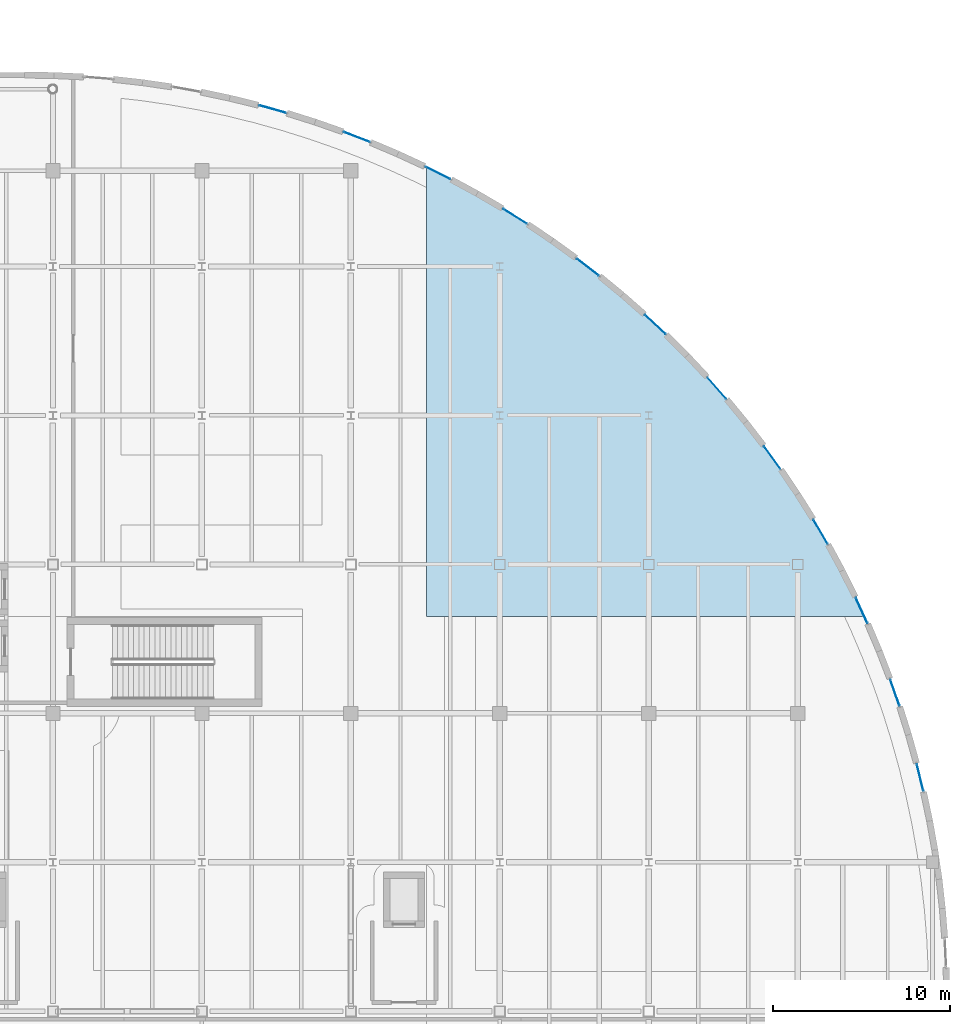
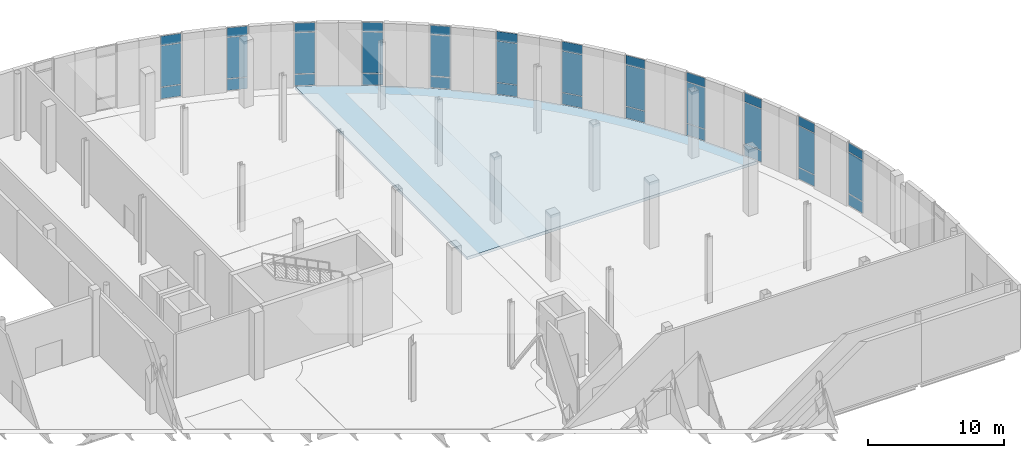
# One storey, part 42 of 85: 36 plates, 1 slab, 12 elements without a shape of their own.
"""IFC4 building model written with IfcOpenShell, lengths in metres."""

from ifc_helpers import new_model, si_unit, direction, frame, origin, origin_2d, place, context, subcontext, project, spatial, polyline, rectangle, outline, extrude, material, layer, layer_set, type_object, element, aggregate, save


model = new_model("IFC4")

# Units and contexts
model_context = context("Model", 3, precision=1e-05, world=origin(), true_north=direction((0.0, 1.0)))
body_context = subcontext(model_context, "Body", "Model", "MODEL_VIEW")
ifc_project = project(units=[si_unit("LENGTHUNIT", "METRE"), si_unit("AREAUNIT", "SQUARE_METRE"), si_unit("VOLUMEUNIT", "CUBIC_METRE"), si_unit("PLANEANGLEUNIT", "RADIAN"), si_unit("MASSUNIT", "GRAM", prefix="KILO"), si_unit("THERMODYNAMICTEMPERATUREUNIT", "KELVIN")], contexts=[model_context])

# Site, building, storey
site_placement = place(None, origin())
site = spatial("IfcSite", under=ifc_project, at=site_placement, CompositionType="ELEMENT")
building_placement = place(site_placement, origin())
building = spatial("IfcBuilding", under=site, at=building_placement, Name="Lustrewick Department Store", CompositionType="ELEMENT")
storey_placement = place(building_placement, origin())
storey = spatial("IfcBuildingStorey", under=building, at=storey_placement, Name="L01", CompositionType="ELEMENT", Elevation=0.0)

# Curtain wall, plates
ifc_material_1 = material(Name="Thermally broken aluminium 6063-T5", Category="aluminium")
ifc_layer_1 = layer(ifc_material_1, 0.139892578125, Name="Thermally broken aluminium 6063-T5")
ifc_layer_set_1 = layer_set([ifc_layer_1], Name="Thermally broken aluminium 6063-T5")
curtain_wall_type_1 = type_object("IfcCurtainWallType", Name="CW06", PredefinedType="NOTDEFINED", material=ifc_layer_set_1)
curtain_wall_1_placement = place(storey_placement, origin())
curtain_wall_1 = element("IfcCurtainWall", 1, at=curtain_wall_1_placement, inside=storey, type_object=curtain_wall_type_1, Name="L01 V4 Curtain Wall CW06", PredefinedType="NOTDEFINED")
ifc_material_2 = material(Name="Low-E laminated safety glass", Category="glass")
ifc_layer_2 = layer(ifc_material_2, 0.02392578125, Name="Low-E laminated safety glass")
ifc_layer_set_2 = layer_set([ifc_layer_2], Name="Low-E laminated safety glass")
plate_type_1 = type_object("IfcPlateType", Name="CP01", PredefinedType="CURTAIN_PANEL", material=ifc_layer_set_2)
plate_1_placement = place(storey_placement, frame((160.887939453125, 85.8369140625, 0.054931640625), z_axis=(0.0, 0.0, 1.0), x_axis=(-0.504642934299, 0.86332815827, 0.0)))
plate_1 = element("IfcPlate", 2, at=plate_1_placement, type_object=plate_type_1, Name="CW06 panel 1.1", PredefinedType="CURTAIN_PANEL", context=body_context, shape_type="SweptSolid", body=[
    extrude(rectangle(XDim=1.556884765625, YDim=0.02392578125, at=origin_2d()), origin(), (0.0, 0.0, 1.0), 1.017578125),
])
plate_2_placement = place(storey_placement, frame((160.887939453125, 85.8369140625, 1.12744140625), z_axis=(0.0, 0.0, 1.0), x_axis=(-0.504642934299, 0.86332815827, 0.0)))
plate_2 = element("IfcPlate", 3, at=plate_2_placement, type_object=plate_type_1, Name="CW06 panel 1.2", PredefinedType="CURTAIN_PANEL", context=body_context, shape_type="SweptSolid", body=[
    extrude(rectangle(XDim=1.556884765625, YDim=0.02392578125, at=origin_2d()), origin(), (0.0, 0.0, 1.0), 3.68994140625),
])
plate_3_placement = place(storey_placement, frame((160.887939453125, 85.8369140625, 4.87255859375), z_axis=(0.0, 0.0, 1.0), x_axis=(-0.504642934299, 0.86332815827, 0.0)))
plate_3 = element("IfcPlate", 4, at=plate_3_placement, type_object=plate_type_1, Name="CW06 panel 1.3", PredefinedType="CURTAIN_PANEL", context=body_context, shape_type="SweptSolid", body=[
    extrude(rectangle(XDim=1.556884765625, YDim=0.02392578125, at=origin_2d()), origin(), (0.0, 0.0, 1.0), 0.8173828125),
])
aggregate(curtain_wall_1, [plate_1, plate_2, plate_3])

ifc_layer_3 = layer(ifc_material_1, 0.179931640625, Name="Thermally broken aluminium 6063-T5")
ifc_layer_set_3 = layer_set([ifc_layer_3], Name="Thermally broken aluminium 6063-T5")
curtain_wall_type_2 = type_object("IfcCurtainWallType", Name="CW11", PredefinedType="NOTDEFINED", material=ifc_layer_set_3)
curtain_wall_2_placement = place(storey_placement, origin())
curtain_wall_2 = element("IfcCurtainWall", 5, at=curtain_wall_2_placement, inside=storey, type_object=curtain_wall_type_2, Name="L01 V4 Curtain Wall CW11", PredefinedType="NOTDEFINED")
plate_4_placement = place(storey_placement, frame((143.662109375, 103.6240234375, 0.06494140625), z_axis=(0.0, 0.0, 1.0), x_axis=(-0.846735387226, 0.532014270503, 0.0)))
plate_4 = element("IfcPlate", 6, at=plate_4_placement, type_object=plate_type_1, Name="CW11 panel 1.1", PredefinedType="CURTAIN_PANEL", context=body_context, shape_type="SweptSolid", body=[
    extrude(rectangle(XDim=1.536865234375, YDim=0.02392578125, at=origin_2d()), origin(), (0.0, 0.0, 1.0), 1.00244140625),
])
plate_5_placement = place(storey_placement, frame((143.662109375, 103.6240234375, 1.13232421875), z_axis=(0.0, 0.0, 1.0), x_axis=(-0.846735387226, 0.532014270503, 0.0)))
plate_5 = element("IfcPlate", 7, at=plate_5_placement, type_object=plate_type_1, Name="CW11 panel 1.2", PredefinedType="CURTAIN_PANEL", context=body_context, shape_type="SweptSolid", body=[
    extrude(rectangle(XDim=1.536865234375, YDim=0.02392578125, at=origin_2d()), origin(), (0.0, 0.0, 1.0), 3.679931640625),
])
plate_6_placement = place(storey_placement, frame((143.662109375, 103.6240234375, 4.87744140625), z_axis=(0.0, 0.0, 1.0), x_axis=(-0.846735387226, 0.532014270503, 0.0)))
plate_6 = element("IfcPlate", 8, at=plate_6_placement, type_object=plate_type_1, Name="CW11 panel 1.3", PredefinedType="CURTAIN_PANEL", context=body_context, shape_type="SweptSolid", body=[
    extrude(rectangle(XDim=1.536865234375, YDim=0.02392578125, at=origin_2d()), origin(), (0.0, 0.0, 1.0), 0.802490234375),
])
aggregate(curtain_wall_2, [plate_4, plate_5, plate_6])

ifc_layer_4 = layer(ifc_material_1, 0.1298828125, Name="Thermally broken aluminium 6063-T5")
ifc_layer_set_4 = layer_set([ifc_layer_4], Name="Thermally broken aluminium 6063-T5")
curtain_wall_type_3 = type_object("IfcCurtainWallType", Name="CW07", PredefinedType="NOTDEFINED", material=ifc_layer_set_4)
curtain_wall_3_placement = place(storey_placement, origin())
curtain_wall_3 = element("IfcCurtainWall", 9, at=curtain_wall_3_placement, inside=storey, type_object=curtain_wall_type_3, Name="L01 V4 Curtain Wall CW07", PredefinedType="NOTDEFINED")
ifc_layer_5 = layer(ifc_material_2, 0.02587890625, Name="Low-E laminated safety glass")
ifc_layer_set_5 = layer_set([ifc_layer_5], Name="Low-E laminated safety glass")
plate_type_2 = type_object("IfcPlateType", Name="CP02", PredefinedType="CURTAIN_PANEL", material=ifc_layer_set_5)
plate_7_placement = place(storey_placement, frame((158.1611328125, 90.02587890625, 0.054931640625), z_axis=(0.0, 0.0, 1.0), x_axis=(-0.585232055106, 0.810865859237, 0.0)))
plate_7 = element("IfcPlate", 10, at=plate_7_placement, type_object=plate_type_2, Name="CW07 panel 1.1", PredefinedType="CURTAIN_PANEL", context=body_context, shape_type="SweptSolid", body=[
    extrude(rectangle(XDim=1.556884765625, YDim=0.02587890625, at=origin_2d()), origin(), (0.0, 0.0, 1.0), 1.017578125),
])
plate_8_placement = place(storey_placement, frame((158.1611328125, 90.02587890625, 1.12744140625), z_axis=(0.0, 0.0, 1.0), x_axis=(-0.585232055106, 0.810865859237, 0.0)))
plate_8 = element("IfcPlate", 11, at=plate_8_placement, type_object=plate_type_2, Name="CW07 panel 1.2", PredefinedType="CURTAIN_PANEL", context=body_context, shape_type="SweptSolid", body=[
    extrude(rectangle(XDim=1.556884765625, YDim=0.02587890625, at=origin_2d()), origin(), (0.0, 0.0, 1.0), 3.68994140625),
])
plate_9_placement = place(storey_placement, frame((158.1611328125, 90.02587890625, 4.87255859375), z_axis=(0.0, 0.0, 1.0), x_axis=(-0.585232055106, 0.810865859237, 0.0)))
plate_9 = element("IfcPlate", 12, at=plate_9_placement, type_object=plate_type_2, Name="CW07 panel 1.3", PredefinedType="CURTAIN_PANEL", context=body_context, shape_type="SweptSolid", body=[
    extrude(rectangle(XDim=1.556884765625, YDim=0.02587890625, at=origin_2d()), origin(), (0.0, 0.0, 1.0), 0.8173828125),
])
aggregate(curtain_wall_3, [plate_7, plate_8, plate_9])

ifc_layer_6 = layer(ifc_material_1, 0.169921875, Name="Thermally broken aluminium 6063-T5")
ifc_layer_set_6 = layer_set([ifc_layer_6], Name="Thermally broken aluminium 6063-T5")
curtain_wall_type_4 = type_object("IfcCurtainWallType", Name="CW12", PredefinedType="NOTDEFINED", material=ifc_layer_set_6)
curtain_wall_4_placement = place(storey_placement, origin())
curtain_wall_4 = element("IfcCurtainWall", 13, at=curtain_wall_4_placement, inside=storey, type_object=curtain_wall_type_4, Name="L01 V4 Curtain Wall CW12", PredefinedType="NOTDEFINED")
plate_10_placement = place(storey_placement, frame((139.306884765625, 106.076904296875, 0.06494140625), z_axis=(0.0, 0.0, 1.0), x_axis=(-0.893898627635, 0.448269164132, 0.0)))
plate_10 = element("IfcPlate", 14, at=plate_10_placement, type_object=plate_type_2, Name="CW12 panel 1.1", PredefinedType="CURTAIN_PANEL", context=body_context, shape_type="SweptSolid", body=[
    extrude(rectangle(XDim=1.536865234375, YDim=0.02587890625, at=origin_2d()), origin(), (0.0, 0.0, 1.0), 1.00244140625),
])
plate_11_placement = place(storey_placement, frame((139.306884765625, 106.076904296875, 1.13232421875), z_axis=(0.0, 0.0, 1.0), x_axis=(-0.893898627635, 0.448269164132, 0.0)))
plate_11 = element("IfcPlate", 15, at=plate_11_placement, type_object=plate_type_2, Name="CW12 panel 1.2", PredefinedType="CURTAIN_PANEL", context=body_context, shape_type="SweptSolid", body=[
    extrude(rectangle(XDim=1.536865234375, YDim=0.02587890625, at=origin_2d()), origin(), (0.0, 0.0, 1.0), 3.679931640625),
])
plate_12_placement = place(storey_placement, frame((139.306884765625, 106.076904296875, 4.87744140625), z_axis=(0.0, 0.0, 1.0), x_axis=(-0.893898627635, 0.448269164132, 0.0)))
plate_12 = element("IfcPlate", 16, at=plate_12_placement, type_object=plate_type_2, Name="CW12 panel 1.3", PredefinedType="CURTAIN_PANEL", context=body_context, shape_type="SweptSolid", body=[
    extrude(rectangle(XDim=1.536865234375, YDim=0.02587890625, at=origin_2d()), origin(), (0.0, 0.0, 1.0), 0.802490234375),
])
aggregate(curtain_wall_4, [plate_10, plate_11, plate_12])

ifc_layer_7 = layer(ifc_material_1, 0.169921875, Name="Thermally broken aluminium 6063-T5")
ifc_layer_set_7 = layer_set([ifc_layer_7], Name="Thermally broken aluminium 6063-T5")
curtain_wall_type_5 = type_object("IfcCurtainWallType", Name="CW03", PredefinedType="NOTDEFINED", material=ifc_layer_set_7)
curtain_wall_5_placement = place(storey_placement, origin())
curtain_wall_5 = element("IfcCurtainWall", 17, at=curtain_wall_5_placement, inside=storey, type_object=curtain_wall_type_5, Name="L01 V4 Curtain Wall CW03", PredefinedType="NOTDEFINED")
ifc_layer_8 = layer(ifc_material_2, 0.028076171875, Name="Low-E laminated safety glass")
ifc_layer_set_8 = layer_set([ifc_layer_8], Name="Low-E laminated safety glass")
plate_type_3 = type_object("IfcPlateType", Name="CP03", PredefinedType="CURTAIN_PANEL", material=ifc_layer_set_8)
plate_13_placement = place(storey_placement, frame((166.497802734375, 71.98046875, 0.06494140625), z_axis=(0.0, 0.0, 1.0), x_axis=(-0.238171345478, 0.971223151595, 0.0)))
plate_13 = element("IfcPlate", 18, at=plate_13_placement, type_object=plate_type_3, Name="CW03 panel 1.1", PredefinedType="CURTAIN_PANEL", context=body_context, shape_type="SweptSolid", body=[
    extrude(rectangle(XDim=1.536865234375, YDim=0.028076171875, at=origin_2d()), origin(), (0.0, 0.0, 1.0), 1.00244140625),
])
plate_14_placement = place(storey_placement, frame((166.497802734375, 71.98046875, 1.13232421875), z_axis=(0.0, 0.0, 1.0), x_axis=(-0.238171345478, 0.971223151595, 0.0)))
plate_14 = element("IfcPlate", 19, at=plate_14_placement, type_object=plate_type_3, Name="CW03 panel 1.2", PredefinedType="CURTAIN_PANEL", context=body_context, shape_type="SweptSolid", body=[
    extrude(rectangle(XDim=1.536865234375, YDim=0.028076171875, at=origin_2d()), origin(), (0.0, 0.0, 1.0), 3.679931640625),
])
plate_15_placement = place(storey_placement, frame((166.497802734375, 71.98046875, 4.87744140625), z_axis=(0.0, 0.0, 1.0), x_axis=(-0.238171345478, 0.971223151595, 0.0)))
plate_15 = element("IfcPlate", 20, at=plate_15_placement, type_object=plate_type_3, Name="CW03 panel 1.3", PredefinedType="CURTAIN_PANEL", context=body_context, shape_type="SweptSolid", body=[
    extrude(rectangle(XDim=1.536865234375, YDim=0.028076171875, at=origin_2d()), origin(), (0.0, 0.0, 1.0), 0.802490234375),
])
aggregate(curtain_wall_5, [plate_13, plate_14, plate_15])

ifc_layer_9 = layer(ifc_material_1, 0.1201171875, Name="Thermally broken aluminium 6063-T5")
ifc_layer_set_9 = layer_set([ifc_layer_9], Name="Thermally broken aluminium 6063-T5")
curtain_wall_type_6 = type_object("IfcCurtainWallType", Name="CW08", PredefinedType="NOTDEFINED", material=ifc_layer_set_9)
curtain_wall_6_placement = place(storey_placement, origin())
curtain_wall_6 = element("IfcCurtainWall", 21, at=curtain_wall_6_placement, inside=storey, type_object=curtain_wall_type_6, Name="L01 V4 Curtain Wall CW08", PredefinedType="NOTDEFINED")
plate_16_placement = place(storey_placement, frame((155.044921875, 93.933837890625, 0.050048828125), z_axis=(0.0, 0.0, 1.0), x_axis=(-0.660358716004, 0.750950308741, 0.0)))
plate_16 = element("IfcPlate", 22, at=plate_16_placement, type_object=plate_type_3, Name="CW08 panel 1.1", PredefinedType="CURTAIN_PANEL", context=body_context, shape_type="SweptSolid", body=[
    extrude(rectangle(XDim=1.56689453125, YDim=0.028076171875, at=origin_2d()), origin(), (0.0, 0.0, 1.0), 1.02490234375),
])
plate_17_placement = place(storey_placement, frame((155.044921875, 93.933837890625, 1.125), z_axis=(0.0, 0.0, 1.0), x_axis=(-0.660358716004, 0.750950308741, 0.0)))
plate_17 = element("IfcPlate", 23, at=plate_17_placement, type_object=plate_type_3, Name="CW08 panel 1.2", PredefinedType="CURTAIN_PANEL", context=body_context, shape_type="SweptSolid", body=[
    extrude(rectangle(XDim=1.56689453125, YDim=0.028076171875, at=origin_2d()), origin(), (0.0, 0.0, 1.0), 3.695068359375),
])
plate_18_placement = place(storey_placement, frame((155.044921875, 93.933837890625, 4.8701171875), z_axis=(0.0, 0.0, 1.0), x_axis=(-0.660358716004, 0.750950308741, 0.0)))
plate_18 = element("IfcPlate", 24, at=plate_18_placement, type_object=plate_type_3, Name="CW08 panel 1.3", PredefinedType="CURTAIN_PANEL", context=body_context, shape_type="SweptSolid", body=[
    extrude(rectangle(XDim=1.56689453125, YDim=0.028076171875, at=origin_2d()), origin(), (0.0, 0.0, 1.0), 0.824951171875),
])
aggregate(curtain_wall_6, [plate_16, plate_17, plate_18])

ifc_layer_10 = layer(ifc_material_1, 0.159912109375, Name="Thermally broken aluminium 6063-T5")
ifc_layer_set_10 = layer_set([ifc_layer_10], Name="Thermally broken aluminium 6063-T5")
curtain_wall_type_7 = type_object("IfcCurtainWallType", Name="CW13", PredefinedType="NOTDEFINED", material=ifc_layer_set_10)
curtain_wall_7_placement = place(storey_placement, origin())
curtain_wall_7 = element("IfcCurtainWall", 25, at=curtain_wall_7_placement, inside=storey, type_object=curtain_wall_type_7, Name="L01 V4 Curtain Wall CW13", PredefinedType="NOTDEFINED")
plate_19_placement = place(storey_placement, frame((134.736328125, 108.10009765625, 0.06005859375), z_axis=(0.0, 0.0, 1.0), x_axis=(-0.932809593004, 0.360369620251, 0.0)))
plate_19 = element("IfcPlate", 26, at=plate_19_placement, type_object=plate_type_3, Name="CW13 panel 1.1", PredefinedType="CURTAIN_PANEL", context=body_context, shape_type="SweptSolid", body=[
    extrude(rectangle(XDim=1.546875, YDim=0.028076171875, at=origin_2d()), origin(), (0.0, 0.0, 1.0), 1.010009765625),
])
plate_20_placement = place(storey_placement, frame((134.736328125, 108.10009765625, 1.1298828125), z_axis=(0.0, 0.0, 1.0), x_axis=(-0.932809593004, 0.360369620251, 0.0)))
plate_20 = element("IfcPlate", 27, at=plate_20_placement, type_object=plate_type_3, Name="CW13 panel 1.2", PredefinedType="CURTAIN_PANEL", context=body_context, shape_type="SweptSolid", body=[
    extrude(rectangle(XDim=1.546875, YDim=0.028076171875, at=origin_2d()), origin(), (0.0, 0.0, 1.0), 3.68505859375),
])
plate_21_placement = place(storey_placement, frame((134.736328125, 108.10009765625, 4.875), z_axis=(0.0, 0.0, 1.0), x_axis=(-0.932809593004, 0.360369620251, 0.0)))
plate_21 = element("IfcPlate", 28, at=plate_21_placement, type_object=plate_type_3, Name="CW13 panel 1.3", PredefinedType="CURTAIN_PANEL", context=body_context, shape_type="SweptSolid", body=[
    extrude(rectangle(XDim=1.546875, YDim=0.028076171875, at=origin_2d()), origin(), (0.0, 0.0, 1.0), 0.81005859375),
])
aggregate(curtain_wall_7, [plate_19, plate_20, plate_21])

ifc_layer_11 = layer(ifc_material_1, 0.159912109375, Name="Thermally broken aluminium 6063-T5")
ifc_layer_set_11 = layer_set([ifc_layer_11], Name="Thermally broken aluminium 6063-T5")
curtain_wall_type_8 = type_object("IfcCurtainWallType", Name="CW04", PredefinedType="NOTDEFINED", material=ifc_layer_set_11)
curtain_wall_8_placement = place(storey_placement, origin())
curtain_wall_8 = element("IfcCurtainWall", 29, at=curtain_wall_8_placement, inside=storey, type_object=curtain_wall_type_8, Name="L01 V4 Curtain Wall CW04", PredefinedType="NOTDEFINED")
ifc_material_3 = material(Name="Tinted ceramic spandrel safety glass", Category="glass")
ifc_layer_12 = layer(ifc_material_3, 0.030029296875, Name="Tinted ceramic spandrel safety glass")
ifc_layer_set_12 = layer_set([ifc_layer_12], Name="Tinted ceramic spandrel safety glass")
plate_type_4 = type_object("IfcPlateType", Name="CP04", PredefinedType="CURTAIN_PANEL", material=ifc_layer_set_12)
plate_22_placement = place(storey_placement, frame((165.07568359375, 76.772216796875, 0.06005859375), z_axis=(0.0, 0.0, 1.0), x_axis=(-0.330248879516, 0.943893891059, 0.0)))
plate_22 = element("IfcPlate", 30, at=plate_22_placement, type_object=plate_type_4, Name="CW04 panel 1.1", PredefinedType="CURTAIN_PANEL", context=body_context, shape_type="SweptSolid", body=[
    extrude(rectangle(XDim=1.546875, YDim=0.030029296875, at=origin_2d()), origin(), (0.0, 0.0, 1.0), 1.010009765625),
])
plate_23_placement = place(storey_placement, frame((165.07568359375, 76.772216796875, 1.1298828125), z_axis=(0.0, 0.0, 1.0), x_axis=(-0.330248879516, 0.943893891059, 0.0)))
plate_23 = element("IfcPlate", 31, at=plate_23_placement, type_object=plate_type_4, Name="CW04 panel 1.2", PredefinedType="CURTAIN_PANEL", context=body_context, shape_type="SweptSolid", body=[
    extrude(rectangle(XDim=1.546875, YDim=0.030029296875, at=origin_2d()), origin(), (0.0, 0.0, 1.0), 3.68505859375),
])
plate_24_placement = place(storey_placement, frame((165.07568359375, 76.772216796875, 4.875), z_axis=(0.0, 0.0, 1.0), x_axis=(-0.330248879516, 0.943893891059, 0.0)))
plate_24 = element("IfcPlate", 32, at=plate_24_placement, type_object=plate_type_4, Name="CW04 panel 1.3", PredefinedType="CURTAIN_PANEL", context=body_context, shape_type="SweptSolid", body=[
    extrude(rectangle(XDim=1.546875, YDim=0.030029296875, at=origin_2d()), origin(), (0.0, 0.0, 1.0), 0.81005859375),
])
aggregate(curtain_wall_8, [plate_22, plate_23, plate_24])

ifc_layer_13 = layer(ifc_material_1, 0.110107421875, Name="Thermally broken aluminium 6063-T5")
ifc_layer_set_13 = layer_set([ifc_layer_13], Name="Thermally broken aluminium 6063-T5")
curtain_wall_type_9 = type_object("IfcCurtainWallType", Name="CW09", PredefinedType="NOTDEFINED", material=ifc_layer_set_13)
curtain_wall_9_placement = place(storey_placement, origin())
curtain_wall_9 = element("IfcCurtainWall", 33, at=curtain_wall_9_placement, inside=storey, type_object=curtain_wall_type_9, Name="L01 V4 Curtain Wall CW09", PredefinedType="NOTDEFINED")
plate_25_placement = place(storey_placement, frame((151.567626953125, 97.5244140625, 0.050048828125), z_axis=(0.0, 0.0, 1.0), x_axis=(-0.729419333383, 0.68406683598, 0.0)))
plate_25 = element("IfcPlate", 34, at=plate_25_placement, type_object=plate_type_4, Name="CW09 panel 1.1", PredefinedType="CURTAIN_PANEL", context=body_context, shape_type="SweptSolid", body=[
    extrude(rectangle(XDim=1.56689453125, YDim=0.030029296875, at=origin_2d()), origin(), (0.0, 0.0, 1.0), 1.02490234375),
])
plate_26_placement = place(storey_placement, frame((151.567626953125, 97.5244140625, 1.125), z_axis=(0.0, 0.0, 1.0), x_axis=(-0.729419333383, 0.68406683598, 0.0)))
plate_26 = element("IfcPlate", 35, at=plate_26_placement, type_object=plate_type_4, Name="CW09 panel 1.2", PredefinedType="CURTAIN_PANEL", context=body_context, shape_type="SweptSolid", body=[
    extrude(rectangle(XDim=1.56689453125, YDim=0.030029296875, at=origin_2d()), origin(), (0.0, 0.0, 1.0), 3.695068359375),
])
plate_27_placement = place(storey_placement, frame((151.567626953125, 97.5244140625, 4.8701171875), z_axis=(0.0, 0.0, 1.0), x_axis=(-0.729419333383, 0.68406683598, 0.0)))
plate_27 = element("IfcPlate", 36, at=plate_27_placement, type_object=plate_type_4, Name="CW09 panel 1.3", PredefinedType="CURTAIN_PANEL", context=body_context, shape_type="SweptSolid", body=[
    extrude(rectangle(XDim=1.56689453125, YDim=0.030029296875, at=origin_2d()), origin(), (0.0, 0.0, 1.0), 0.824951171875),
])
aggregate(curtain_wall_9, [plate_25, plate_26, plate_27])

ifc_layer_14 = layer(ifc_material_1, 0.14990234375, Name="Thermally broken aluminium 6063-T5")
ifc_layer_set_14 = layer_set([ifc_layer_14], Name="Thermally broken aluminium 6063-T5")
curtain_wall_type_10 = type_object("IfcCurtainWallType", Name="CW14", PredefinedType="NOTDEFINED", material=ifc_layer_set_14)
curtain_wall_10_placement = place(storey_placement, origin())
curtain_wall_10 = element("IfcCurtainWall", 37, at=curtain_wall_10_placement, inside=storey, type_object=curtain_wall_type_10, Name="L01 V4 Curtain Wall CW14", PredefinedType="NOTDEFINED")
plate_28_placement = place(storey_placement, frame((129.99267578125, 109.675048828125, 0.06005859375), z_axis=(0.0, 0.0, 1.0), x_axis=(-0.963105943443, 0.269122540313, 0.0)))
plate_28 = element("IfcPlate", 38, at=plate_28_placement, type_object=plate_type_4, Name="CW14 panel 1.1", PredefinedType="CURTAIN_PANEL", context=body_context, shape_type="SweptSolid", body=[
    extrude(rectangle(XDim=1.546875, YDim=0.030029296875, at=origin_2d()), origin(), (0.0, 0.0, 1.0), 1.010009765625),
])
plate_29_placement = place(storey_placement, frame((129.99267578125, 109.675048828125, 1.1298828125), z_axis=(0.0, 0.0, 1.0), x_axis=(-0.963105943443, 0.269122540313, 0.0)))
plate_29 = element("IfcPlate", 39, at=plate_29_placement, type_object=plate_type_4, Name="CW14 panel 1.2", PredefinedType="CURTAIN_PANEL", context=body_context, shape_type="SweptSolid", body=[
    extrude(rectangle(XDim=1.546875, YDim=0.030029296875, at=origin_2d()), origin(), (0.0, 0.0, 1.0), 3.68505859375),
])
plate_30_placement = place(storey_placement, frame((129.99267578125, 109.675048828125, 4.875), z_axis=(0.0, 0.0, 1.0), x_axis=(-0.963105943443, 0.269122540313, 0.0)))
plate_30 = element("IfcPlate", 40, at=plate_30_placement, type_object=plate_type_4, Name="CW14 panel 1.3", PredefinedType="CURTAIN_PANEL", context=body_context, shape_type="SweptSolid", body=[
    extrude(rectangle(XDim=1.546875, YDim=0.030029296875, at=origin_2d()), origin(), (0.0, 0.0, 1.0), 0.81005859375),
])
aggregate(curtain_wall_10, [plate_28, plate_29, plate_30])

ifc_layer_15 = layer(ifc_material_1, 0.14990234375, Name="Thermally broken aluminium 6063-T5")
ifc_layer_set_15 = layer_set([ifc_layer_15], Name="Thermally broken aluminium 6063-T5")
curtain_wall_type_11 = type_object("IfcCurtainWallType", Name="CW05", PredefinedType="NOTDEFINED", material=ifc_layer_set_15)
curtain_wall_11_placement = place(storey_placement, origin())
curtain_wall_11 = element("IfcCurtainWall", 41, at=curtain_wall_11_placement, inside=storey, type_object=curtain_wall_type_11, Name="L01 V4 Curtain Wall CW05", PredefinedType="NOTDEFINED")
ifc_material_4 = material(Name="Low-E triple laminated safety glass", Category="glass")
ifc_layer_16 = layer(ifc_material_4, 0.031982421875, Name="Low-E triple laminated safety glass")
ifc_layer_set_16 = layer_set([ifc_layer_16], Name="Low-E triple laminated safety glass")
plate_type_5 = type_object("IfcPlateType", Name="CP05", PredefinedType="CURTAIN_PANEL", material=ifc_layer_set_16)
plate_31_placement = place(storey_placement, frame((163.199951171875, 81.4052734375, 0.06005859375), z_axis=(0.0, 0.0, 1.0), x_axis=(-0.419381504995, 0.907810086565, 0.0)))
plate_31 = element("IfcPlate", 42, at=plate_31_placement, type_object=plate_type_5, Name="CW05 panel 1.1", PredefinedType="CURTAIN_PANEL", context=body_context, shape_type="SweptSolid", body=[
    extrude(rectangle(XDim=1.546875, YDim=0.031982421875, at=origin_2d()), origin(), (0.0, 0.0, 1.0), 1.010009765625),
])
plate_32_placement = place(storey_placement, frame((163.199951171875, 81.4052734375, 1.1298828125), z_axis=(0.0, 0.0, 1.0), x_axis=(-0.419381504995, 0.907810086565, 0.0)))
plate_32 = element("IfcPlate", 43, at=plate_32_placement, type_object=plate_type_5, Name="CW05 panel 1.2", PredefinedType="CURTAIN_PANEL", context=body_context, shape_type="SweptSolid", body=[
    extrude(rectangle(XDim=1.546875, YDim=0.031982421875, at=origin_2d()), origin(), (0.0, 0.0, 1.0), 3.68505859375),
])
plate_33_placement = place(storey_placement, frame((163.199951171875, 81.4052734375, 4.875), z_axis=(0.0, 0.0, 1.0), x_axis=(-0.419381504995, 0.907810086565, 0.0)))
plate_33 = element("IfcPlate", 44, at=plate_33_placement, type_object=plate_type_5, Name="CW05 panel 1.3", PredefinedType="CURTAIN_PANEL", context=body_context, shape_type="SweptSolid", body=[
    extrude(rectangle(XDim=1.546875, YDim=0.031982421875, at=origin_2d()), origin(), (0.0, 0.0, 1.0), 0.81005859375),
])
aggregate(curtain_wall_11, [plate_31, plate_32, plate_33])

ifc_layer_17 = layer(ifc_material_1, 0.199951171875, Name="Thermally broken aluminium 6063-T5")
ifc_layer_set_17 = layer_set([ifc_layer_17], Name="Thermally broken aluminium 6063-T5")
curtain_wall_type_12 = type_object("IfcCurtainWallType", Name="CW10", PredefinedType="NOTDEFINED", material=ifc_layer_set_17)
curtain_wall_12_placement = place(storey_placement, origin())
curtain_wall_12 = element("IfcCurtainWall", 45, at=curtain_wall_12_placement, inside=storey, type_object=curtain_wall_type_12, Name="L01 V4 Curtain Wall CW10", PredefinedType="NOTDEFINED")
plate_34_placement = place(storey_placement, frame((147.76171875, 100.764404296875, 0.06982421875), z_axis=(0.0, 0.0, 1.0), x_axis=(-0.791733347039, 0.610866848982, 0.0)))
plate_34 = element("IfcPlate", 46, at=plate_34_placement, type_object=plate_type_5, Name="CW10 panel 1.1", PredefinedType="CURTAIN_PANEL", context=body_context, shape_type="SweptSolid", body=[
    extrude(rectangle(XDim=1.52685546875, YDim=0.031982421875, at=origin_2d()), origin(), (0.0, 0.0, 1.0), 0.9951171875),
])
plate_35_placement = place(storey_placement, frame((147.76171875, 100.764404296875, 1.134765625), z_axis=(0.0, 0.0, 1.0), x_axis=(-0.791733347039, 0.610866848982, 0.0)))
plate_35 = element("IfcPlate", 47, at=plate_35_placement, type_object=plate_type_5, Name="CW10 panel 1.2", PredefinedType="CURTAIN_PANEL", context=body_context, shape_type="SweptSolid", body=[
    extrude(rectangle(XDim=1.52685546875, YDim=0.031982421875, at=origin_2d()), origin(), (0.0, 0.0, 1.0), 3.675048828125),
])
plate_36_placement = place(storey_placement, frame((147.76171875, 100.764404296875, 4.880126953125), z_axis=(0.0, 0.0, 1.0), x_axis=(-0.791733347039, 0.610866848982, 0.0)))
plate_36 = element("IfcPlate", 48, at=plate_36_placement, type_object=plate_type_5, Name="CW10 panel 1.3", PredefinedType="CURTAIN_PANEL", context=body_context, shape_type="SweptSolid", body=[
    extrude(rectangle(XDim=1.52685546875, YDim=0.031982421875, at=origin_2d()), origin(), (0.0, 0.0, 1.0), 0.794921875),
])
aggregate(curtain_wall_12, [plate_34, plate_35, plate_36])

# Slab
ifc_material_5 = material(Name="Concrete C30", Category="concrete")
ifc_layer_18 = layer(ifc_material_5, 0.260009765625, Name="Concrete C30")
ifc_layer_set_18 = layer_set([ifc_layer_18], Name="Concrete C30")
slab_type = type_object("IfcSlabType", Name="FS01", PredefinedType="FLOOR", material=ifc_layer_set_18)
slab_placement = place(storey_placement, frame((0.0, 0.0, -0.260009765625)))
element("IfcSlab", 49, at=slab_placement, inside=storey, type_object=slab_type, Name="L01 V4 Floor Slab FS01", PredefinedType="FLOOR", context=body_context, shape_type="SweptSolid", body=[
    extrude(outline(polyline([(140.052001953125, 105.703125), (138.675048828125, 106.393798828125), (138.675048828125, 81.074951171875), (163.3525390625, 81.074951171875), (162.850341796875, 82.162109375), (162.103271484375, 83.652099609375), (161.30859375, 85.1171875), (160.46728515625, 86.556396484375), (159.58056640625, 87.9677734375), (158.64892578125, 89.35009765625), (157.673583984375, 90.70166015625), (156.6552734375, 92.021484375), (155.59521484375, 93.307861328125), (154.494384765625, 94.5595703125), (153.354248046875, 95.775390625), (152.175537109375, 96.9541015625), (150.959716796875, 98.094482421875), (149.7080078125, 99.1953125), (148.42138671875, 100.255126953125), (147.101806640625, 101.2734375), (145.75, 102.2490234375), (144.367919921875, 103.1806640625), (142.956298828125, 104.0673828125), (141.517333984375, 104.90869140625), (140.052001953125, 105.703125)])), origin(), (0.0, 0.0, 1.0), 0.260009765625),
])

save(model, "model.ifc")
